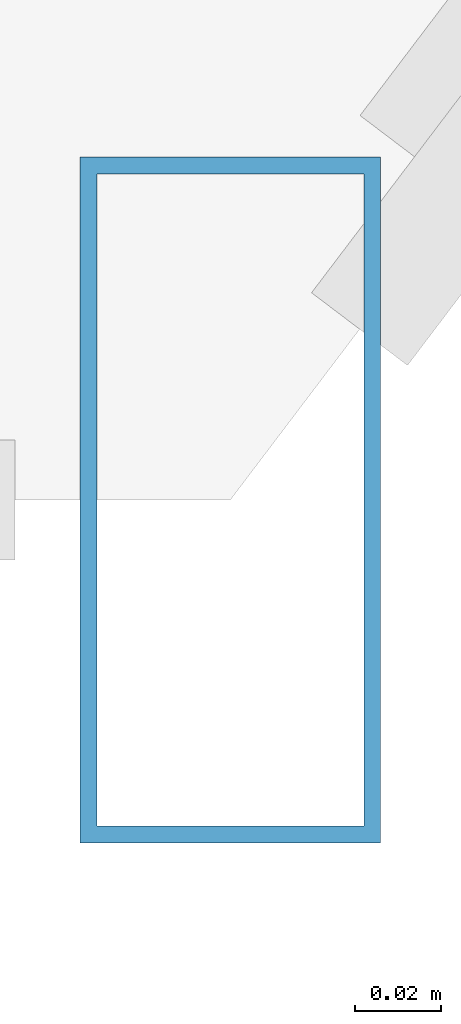
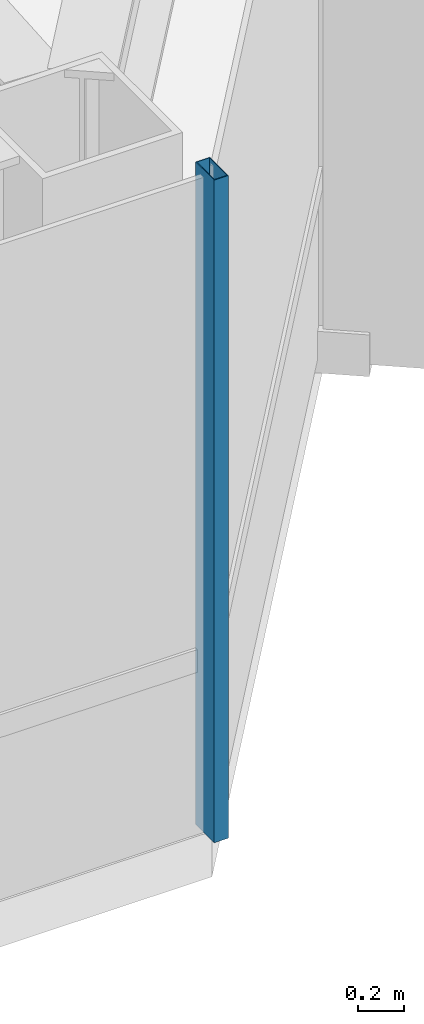
# One storey, part 7 of 28: 1 member, 1 element without a shape of its own.
"""IFC4 building model written with IfcOpenShell, lengths in metres."""

from ifc_helpers import new_model, si_unit, direction, frame, origin, origin_2d, place, context, subcontext, project, spatial, hollow_rectangle, extrude, material, layer, layer_set, material_profile, profile_set, type_object, element, aggregate, save


model = new_model("IFC4")

# Units and contexts
model_context = context("Model", 3, precision=1e-05, world=origin(), true_north=direction((0.0, 1.0)))
body_context = subcontext(model_context, "Body", "Model", "MODEL_VIEW")
ifc_project = project(units=[si_unit("LENGTHUNIT", "METRE"), si_unit("AREAUNIT", "SQUARE_METRE"), si_unit("VOLUMEUNIT", "CUBIC_METRE"), si_unit("PLANEANGLEUNIT", "RADIAN"), si_unit("MASSUNIT", "GRAM", prefix="KILO")], contexts=[model_context])

# Site, building, storey
site_placement = place(None, origin())
site = spatial("IfcSite", under=ifc_project, at=site_placement, CompositionType="ELEMENT")
building_placement = place(site_placement, origin())
building = spatial("IfcBuilding", under=site, at=building_placement, Name="Zarrinselat Tower", CompositionType="ELEMENT")
storey_placement = place(building_placement, frame((0.0, 0.0, 187.0)))
storey = spatial("IfcBuildingStorey", under=building, at=storey_placement, Name="L46", CompositionType="ELEMENT", Elevation=187.0)

# Curtain wall, member
ifc_material_1 = material(Name="Extruded Aluminium Alloy EN AW-6063 T6", Category="aluminium")
ifc_layer = layer(ifc_material_1, 0.175048828125)
ifc_layer_set = layer_set([ifc_layer], Name="Extruded Aluminium Alloy EN AW-6063 T6")
curtain_wall_type = type_object("IfcCurtainWallType", Name="CWS-HTL", PredefinedType="NOTDEFINED", material=ifc_layer_set)
curtain_wall_placement = place(storey_placement, origin())
curtain_wall = element("IfcCurtainWall", 1, at=curtain_wall_placement, inside=storey, type_object=curtain_wall_type, Name="L46 Unitised Curtain Wall CW-L46-E04", PredefinedType="NOTDEFINED")
ifc_material_2 = material(Name="Extruded Aluminium Alloy EN AW-6063 T6", Category="aluminium")
ifc_material_profile = material_profile(ifc_material_2, hollow_rectangle(XDim=0.070068359375, YDim=0.159912109375, WallThickness=0.00390625, at=origin_2d()), Name="RHS 160x70x4")
ifc_profile_set = profile_set([ifc_material_profile], Name="Extruded Aluminium Alloy EN AW-6063 T6")
member_type = type_object("IfcMemberType", Name="MEM-CW-MUL2", PredefinedType="MULLION", material=ifc_profile_set)
member_placement = place(storey_placement, frame((45.4306640625, 17.58935546875, 0.0), z_axis=(0.0, 0.0, 1.0), x_axis=(1.0, 0.0, 0.0)))
member = element("IfcMember", 2, at=member_placement, type_object=member_type, Name="CW-L46-E04 Mullion 5", PredefinedType="MULLION", context=body_context, shape_type="SweptSolid", body=[
    extrude(hollow_rectangle(XDim=0.070068359375, YDim=0.159912109375, WallThickness=0.00390625, at=origin_2d()), origin(), (0.0, 0.0, 1.0), 3.5),
])
aggregate(curtain_wall, [member])

save(model, "model.ifc")
